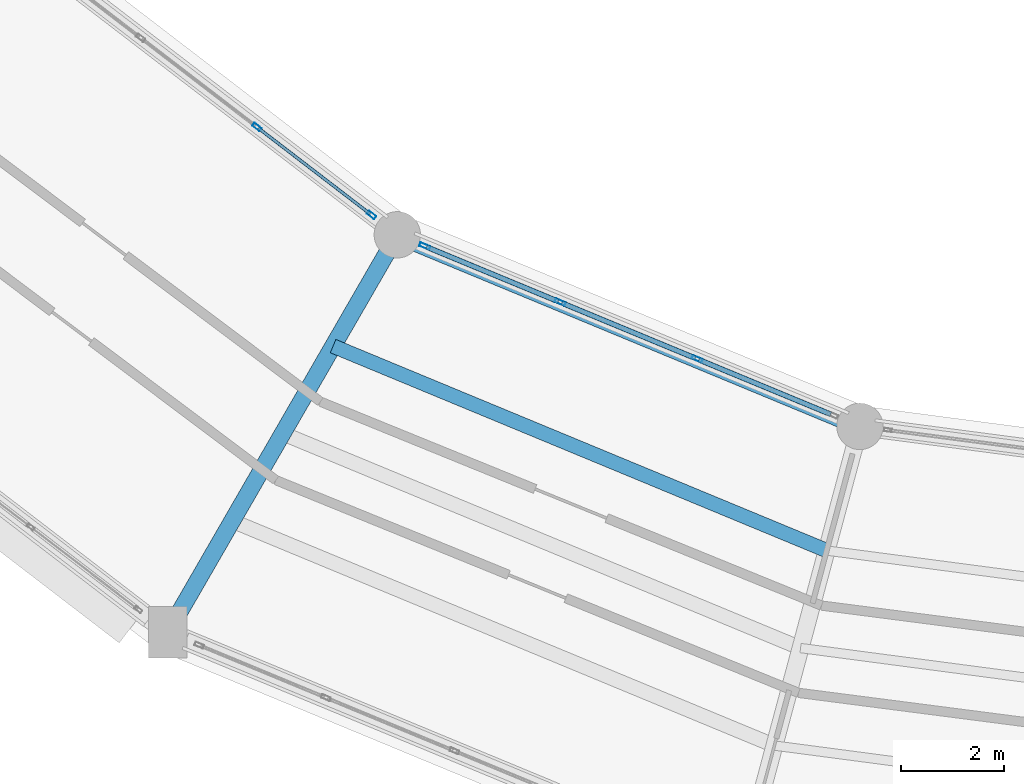
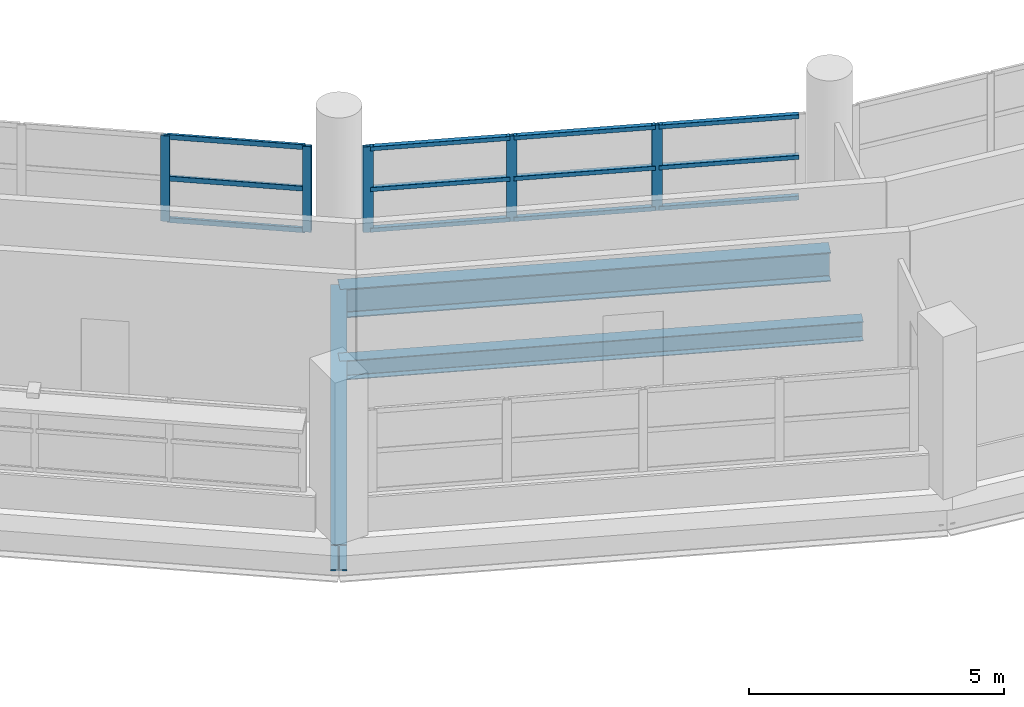
# One storey, part 19 of 108: 17 members, 3 beams, 2 elements without a shape of their own.
"""IFC4 building model written with IfcOpenShell, lengths in metres."""

import ifcopenshell
import ifcopenshell.guid

model = None  # the IFC model being written
_history = None  # IfcOwnerHistory: only IFC2X3 demands one
_inside = {}  # id of a spatial element -> (the spatial element, [elements in it])
_under = {}  # id of a project, library or spatial element -> (it, [spatial elements below it])
_declared = {}  # id of a project -> (the project, [libraries it declares])
_typed = {}  # id of a type object -> (the type object, [elements of that type])
_made_of = {}  # id of a material, layer set ... -> (it, [elements and type objects made of it])


def new_model(schema):
    """Start an empty IFC model of exactly this schema.

    Asked for "IFC4X3", IfcOpenShell would pick the latest addendum, in which some entities
    have other attributes; the version numbers below select the first issue.
    IFC2X3 requires an IfcOwnerHistory on every rooted entity: one is made here for all.
    """
    global model, _history
    if schema == "IFC4X3":
        model = ifcopenshell.file(schema_version=(4, 3, 0, 0))
    else:
        model = ifcopenshell.file(schema=schema)
    _inside.clear()
    _under.clear()
    _declared.clear()
    _typed.clear()
    _made_of.clear()
    _history = None
    if model.schema == "IFC2X3":
        org = make("IfcOrganization", Name="unknown")
        user = make(
            "IfcPersonAndOrganization",
            ThePerson=make("IfcPerson", FamilyName="unknown"),
            TheOrganization=org,
        )
        app = make(
            "IfcApplication",
            ApplicationDeveloper=org,
            Version="unknown",
            ApplicationFullName="unknown",
            ApplicationIdentifier="unknown",
        )
        _history = make(
            "IfcOwnerHistory",
            OwningUser=user,
            OwningApplication=app,
            ChangeAction="ADDED",
            CreationDate=0,
        )
    return model


def make(cls, **values):
    """One entity of the class cls with the attributes given. An attribute that is None is left unset."""
    return model.create_entity(
        cls, **{name: value for name, value in values.items() if value is not None}
    )


def rooted(cls, **values):
    """An entity with a GlobalId (a new one), such as an element, a storey or a relation."""
    return make(cls, GlobalId=ifcopenshell.guid.new(), OwnerHistory=_history, **values)


def si_unit(unit_type, name, prefix=None):
    """IfcSIUnit, for example si_unit("LENGTHUNIT", "METRE", prefix="MILLI")."""
    return make("IfcSIUnit", UnitType=unit_type, Prefix=prefix, Name=name)


def assignment(units):
    """IfcUnitAssignment: the units of a project."""
    return None if units is None else make("IfcUnitAssignment", Units=units)


def point(xyz):
    """IfcCartesianPoint."""
    return None if xyz is None else make("IfcCartesianPoint", Coordinates=xyz)


def direction(xyz):
    """IfcDirection."""
    return None if xyz is None else make("IfcDirection", DirectionRatios=xyz)


def frame(location, z_axis=None, x_axis=None):
    """IfcAxis2Placement3D, a coordinate frame: its origin and axes. An axis left out is left unset."""
    return make(
        "IfcAxis2Placement3D",
        Location=point(location),
        Axis=direction(z_axis),
        RefDirection=direction(x_axis),
    )


def frame_2d(location, x_axis=None):
    """IfcAxis2Placement2D, a coordinate frame in the plane: its origin and x axis."""
    return make(
        "IfcAxis2Placement2D", Location=point(location), RefDirection=direction(x_axis)
    )


def origin():
    """The frame at (0, 0, 0) with its axes left unset."""
    return frame((0.0, 0.0, 0.0))


def origin_2d():
    """The frame at (0, 0) in the plane with its x axis left unset."""
    return frame_2d((0.0, 0.0))


def place(relative_to, where):
    """IfcLocalPlacement: puts the frame where relative to a parent placement (None: the world)."""
    return make(
        "IfcLocalPlacement", PlacementRelTo=relative_to, RelativePlacement=where
    )


def context(
    kind, dimensions, precision=None, world=None, true_north=None, identifier=None
):
    """IfcGeometricRepresentationContext, for example the 3D "Model" context."""
    return make(
        "IfcGeometricRepresentationContext",
        ContextIdentifier=identifier,
        ContextType=kind,
        CoordinateSpaceDimension=dimensions,
        Precision=precision,
        WorldCoordinateSystem=world,
        TrueNorth=true_north,
    )


def subcontext(parent, identifier, kind, view, scale=None):
    """IfcGeometricRepresentationSubContext, for example "Body" below "Model"."""
    return make(
        "IfcGeometricRepresentationSubContext",
        ContextIdentifier=identifier,
        ContextType=kind,
        ParentContext=parent,
        TargetScale=scale,
        TargetView=view,
    )


def project(units=None, contexts=None):
    """IfcProject with its units and contexts."""
    return rooted(
        "IfcProject",
        Name="project",
        RepresentationContexts=contexts,
        UnitsInContext=assignment(units),
    )


def spatial(cls, under=None, at=None, **own):
    """A site, building, storey or space (cls), placed at a placement, below another one or the project."""
    s = rooted(cls, ObjectPlacement=at, **own)
    if under is not None:
        _under.setdefault(under.id(), (under, []))[1].append(s)
    return s


def profile(cls, at=None, kind="AREA", **sizes):
    """A parametric profile (cls). Its sizes go by their IFC names, for example OverallWidth=200.0."""
    return make(cls, ProfileType=kind, Position=at, **sizes)


def hollow_rectangle(**sizes):
    """IfcRectangleHollowProfileDef."""
    return profile("IfcRectangleHollowProfileDef", **sizes)


def i_section(**sizes):
    """IfcIShapeProfileDef."""
    return profile("IfcIShapeProfileDef", **sizes)


def extrude(swept, where, along, depth):
    """IfcExtrudedAreaSolid: the profile swept, set in the frame where, extruded along a direction by depth."""
    return make(
        "IfcExtrudedAreaSolid",
        SweptArea=swept,
        Position=where,
        ExtrudedDirection=direction(along),
        Depth=depth,
    )


def shape(context_of_items, identifier, shape_type, items):
    """IfcShapeRepresentation: the items that make up one representation, for example the "Body"."""
    return make(
        "IfcShapeRepresentation",
        ContextOfItems=context_of_items,
        RepresentationIdentifier=identifier,
        RepresentationType=shape_type,
        Items=items,
    )


def material(Name=None, Category=None):
    """IfcMaterial."""
    return make("IfcMaterial", Name=Name, Category=Category)


def layer(
    of_material, thickness, ventilated=None, Name=None, Category=None, Priority=None
):
    """IfcMaterialLayer: one layer of a wall or slab, of a material (None: an air gap)."""
    return make(
        "IfcMaterialLayer",
        Material=of_material,
        LayerThickness=thickness,
        IsVentilated=ventilated,
        Name=Name,
        Category=Category,
        Priority=Priority,
    )


def layer_set(layers, Name=None):
    """IfcMaterialLayerSet."""
    return make("IfcMaterialLayerSet", MaterialLayers=layers, LayerSetName=Name)


def material_profile(
    of_material, cross_section, Name=None, Category=None, Priority=None
):
    """IfcMaterialProfile: a cross section and its material."""
    return make(
        "IfcMaterialProfile",
        Name=Name,
        Material=of_material,
        Profile=cross_section,
        Priority=Priority,
        Category=Category,
    )


def profile_set(profiles, Name=None, composite=None):
    """IfcMaterialProfileSet."""
    return make(
        "IfcMaterialProfileSet",
        Name=Name,
        MaterialProfiles=profiles,
        CompositeProfile=composite,
    )


def made_of(thing, what):
    """Note that an element or type object is made of a material, layer set ...; save() writes the relation."""
    if what is not None:
        _made_of.setdefault(what.id(), (what, []))[1].append(thing)
    return thing


def type_object(cls, material=None, **own):
    """A type object (cls), such as IfcWallType, which elements share."""
    return made_of(rooted(cls, **own), material)


def element(
    cls,
    number,
    at=None,
    inside=None,
    cuts=None,
    type_object=None,
    material=None,
    context=None,
    identifier="Body",
    shape_type=None,
    held_by="IfcProductDefinitionShape",
    body=None,
    shapes=None,
    **own,
):
    """One element of the class cls, such as IfcWall. Its Tag is "e" and its number.

    at: its placement. inside: the storey or other place that contains it. cuts: it is an
    opening in that element (IfcRelVoidsElement). A single representation is given by context,
    identifier, shape_type and body (its items); several are given by shapes. held_by: the class
    of the entity that holds the representations. save() writes the other relations.
    """
    e = rooted(cls, Tag="e%d" % number, ObjectPlacement=at, **own)
    if body is not None:
        shapes = [shape(context, identifier, shape_type, body)]
    if shapes is not None:
        e.Representation = make(held_by, Representations=shapes)
    if inside is not None:
        _inside.setdefault(inside.id(), (inside, []))[1].append(e)
    if cuts is not None:
        rooted(
            "IfcRelVoidsElement", RelatingBuildingElement=cuts, RelatedOpeningElement=e
        )
    if type_object is not None:
        _typed.setdefault(type_object.id(), (type_object, []))[1].append(e)
    return made_of(e, material)


def aggregate(whole, parts):
    """IfcRelAggregates: a whole, such as a stair, and the parts it consists of."""
    return rooted("IfcRelAggregates", RelatingObject=whole, RelatedObjects=parts)


def save(model, path):
    """Write the relations noted so far, then the file.

    IfcRelAggregates (storeys below a building ...), IfcRelContainedInSpatialStructure (elements
    in a storey), IfcRelDefinesByType, IfcRelAssociatesMaterial and IfcRelDeclares: one each for
    every whole, place, type object, material and project.
    """
    for whole, parts in _under.values():
        aggregate(whole, parts)
    for where, things in _inside.values():
        rooted(
            "IfcRelContainedInSpatialStructure",
            RelatedElements=things,
            RelatingStructure=where,
        )
    for kind, things in _typed.values():
        rooted("IfcRelDefinesByType", RelatedObjects=things, RelatingType=kind)
    for what, things in _made_of.values():
        rooted("IfcRelAssociatesMaterial", RelatedObjects=things, RelatingMaterial=what)
    for by, libraries in _declared.values():
        rooted("IfcRelDeclares", RelatingContext=by, RelatedDefinitions=libraries)
    model.write(path)


model = new_model("IFC4")

# Units and contexts
model_context = context("Model", 3, precision=1e-05, world=origin(), true_north=direction((0.0, 1.0)))
body_context = subcontext(model_context, "Body", "Model", "MODEL_VIEW")
ifc_project = project(units=[si_unit("LENGTHUNIT", "METRE"), si_unit("AREAUNIT", "SQUARE_METRE"), si_unit("VOLUMEUNIT", "CUBIC_METRE"), si_unit("PLANEANGLEUNIT", "RADIAN"), si_unit("MASSUNIT", "GRAM", prefix="KILO")], contexts=[model_context])

# Site, building, storey
site_placement = place(None, origin())
site = spatial("IfcSite", under=ifc_project, at=site_placement, CompositionType="ELEMENT")
building_placement = place(site_placement, origin())
building = spatial("IfcBuilding", under=site, at=building_placement, Name="Vespera Passage Community Centre", CompositionType="ELEMENT")
storey_placement = place(building_placement, frame((0.0, 0.0, 12.60009765625)))
storey = spatial("IfcBuildingStorey", under=building, at=storey_placement, Name="L03", CompositionType="ELEMENT", Elevation=12.60009765625)

# Beams
ifc_material_1 = material(Name="Steel ASTM A992 Grade 50", Category="steel")
ifc_material_profile_1 = material_profile(ifc_material_1, i_section(OverallWidth=0.32763671875, OverallDepth=0.62841796875, WebThickness=0.0166015625, FlangeThickness=0.027587890625, FilletRadius=0.0126953125, at=origin_2d()), Name="W24X146")
ifc_profile_set_1 = profile_set([ifc_material_profile_1], Name="Steel ASTM A992 Grade 50")
beam_type_1 = type_object("IfcBeamType", Name="BM-G-W24X146", PredefinedType="BEAM", material=ifc_profile_set_1)
beam_1_placement = place(storey_placement, frame((59.39990234375, 33.283935546875, -0.71435546875), z_axis=(-0.499989191739, -0.866031643847, 0.0), x_axis=(0.866031643847, -0.499989191739, 0.0)))
element("IfcBeam", 1, at=beam_1_placement, inside=storey, type_object=beam_type_1, Name="V4 L03 Radial Girder 16", PredefinedType="BEAM", context=body_context, shape_type="SweptSolid", body=[
    extrude(i_section(OverallWidth=0.32763671875, OverallDepth=0.62841796875, WebThickness=0.0166015625, FlangeThickness=0.027587890625, FilletRadius=0.0126953125, at=origin_2d()), origin(), (0.0, 0.0, 1.0), 8.900146484375),
])
ifc_material_2 = material(Name="Steel ASTM A992 Grade 50", Category="steel")
ifc_material_profile_2 = material_profile(ifc_material_2, i_section(OverallWidth=0.280517578125, OverallDepth=0.46240234375, WebThickness=0.0107421875, FlangeThickness=0.017333984375, FilletRadius=0.01025390625, at=origin_2d()), Name="W18X76")
ifc_profile_set_2 = profile_set([ifc_material_profile_2], Name="Steel ASTM A992 Grade 50")
beam_type_2 = type_object("IfcBeamType", Name="BM-J-W18X76", PredefinedType="JOIST", material=ifc_profile_set_2)
beam_2_placement = place(storey_placement, frame((58.154052734375, 31.125732421875, -0.63134765625), z_axis=(0.923873815861, -0.382697233288, 0.0), x_axis=(0.382697233288, 0.923873815861, 0.0)))
element("IfcBeam", 2, at=beam_2_placement, inside=storey, type_object=beam_type_2, Name="V4 L03 Floor Joist 16.1", PredefinedType="JOIST", context=body_context, shape_type="SweptSolid", body=[
    extrude(i_section(OverallWidth=0.280517578125, OverallDepth=0.46240234375, WebThickness=0.0107421875, FlangeThickness=0.017333984375, FilletRadius=0.01025390625, at=origin_2d()), origin(), (0.0, 0.0, 1.0), 10.361572265625),
])
ifc_material_3 = material(Name="Steel ASTM A992 Grade 50", Category="steel")
ifc_material_profile_3 = material_profile(ifc_material_3, i_section(OverallWidth=0.3544921875, OverallDepth=0.695556640625, WebThickness=0.015380859375, FlangeThickness=0.024658203125, FilletRadius=0.01513671875, at=origin_2d()), Name="W27X146")
ifc_profile_set_3 = profile_set([ifc_material_profile_3], Name="Steel ASTM A992 Grade 50")
beam_type_3 = type_object("IfcBeamType", Name="BM-SP-W27X146E", PredefinedType="SPANDREL", material=ifc_profile_set_3)
beam_3_placement = place(storey_placement, frame((59.39990234375, 33.283935546875, -0.747802734375), z_axis=(0.923878947685, -0.382684844258, 0.0), x_axis=(0.382684844258, 0.923878947685, 0.0)))
element("IfcBeam", 3, at=beam_3_placement, inside=storey, type_object=beam_type_3, Name="V4 L03 Inner Spandrel 16", PredefinedType="SPANDREL", context=body_context, shape_type="SweptSolid", body=[
    extrude(i_section(OverallWidth=0.3544921875, OverallDepth=0.695556640625, WebThickness=0.015380859375, FlangeThickness=0.024658203125, FilletRadius=0.01513671875, at=origin_2d()), origin(), (0.0, 0.0, 1.0), 9.711181640625),
])

# Curtain wall, members
ifc_material_4 = material(Name="Anodized aluminium 6063-T6", Category="aluminium")
ifc_layer_1 = layer(ifc_material_4, 0.159912109375)
ifc_layer_set_1 = layer_set([ifc_layer_1], Name="Anodized aluminium 6063-T6")
curtain_wall_type_1 = type_object("IfcCurtainWallType", Name="CW-38E", PredefinedType="NOTDEFINED", material=ifc_layer_set_1)
curtain_wall_1_placement = place(storey_placement, origin())
curtain_wall_1 = element("IfcCurtainWall", 4, at=curtain_wall_1_placement, inside=storey, type_object=curtain_wall_type_1, Name="V4 L03 Inner Court Curtain Wall 15", PredefinedType="NOTDEFINED")
ifc_material_5 = material(Name="Anodized aluminium 6063-T6", Category="aluminium")
ifc_material_profile_4 = material_profile(ifc_material_5, hollow_rectangle(XDim=0.074951171875, YDim=0.179931640625, WallThickness=0.0048828125, InnerFilletRadius=0.00244140625, OuterFilletRadius=0.0048828125, at=origin_2d()), Name="ALU180X75X5")
ifc_profile_set_4 = profile_set([ifc_material_profile_4], Name="Anodized aluminium 6063-T6")
member_type_1 = type_object("IfcMemberType", Name="MB-CWM-180E", PredefinedType="MULLION", material=ifc_profile_set_4)
member_1_placement = place(storey_placement, frame((56.675048828125, 35.374755859375, 0.81982421875), z_axis=(0.0, 0.0, 1.0), x_axis=(0.608755087843, 0.793358205999, 0.0)))
member_1 = element("IfcMember", 5, at=member_1_placement, type_object=member_type_1, Name="CW-38E mullion 3", PredefinedType="MULLION", context=body_context, shape_type="SweptSolid", body=[
    extrude(hollow_rectangle(XDim=0.074951171875, YDim=0.179931640625, WallThickness=0.0048828125, InnerFilletRadius=0.00244140625, OuterFilletRadius=0.0048828125, at=origin_2d()), origin(), (0.0, 0.0, 1.0), 2.049560546875),
])
member_2_placement = place(storey_placement, frame((58.899658203125, 33.667724609375, 0.81982421875), z_axis=(0.0, 0.0, 1.0), x_axis=(0.608755087843, 0.793358205999, 0.0)))
member_2 = element("IfcMember", 6, at=member_2_placement, type_object=member_type_1, Name="CW-38E mullion 4", PredefinedType="MULLION", context=body_context, shape_type="SweptSolid", body=[
    extrude(hollow_rectangle(XDim=0.074951171875, YDim=0.179931640625, WallThickness=0.0048828125, InnerFilletRadius=0.00244140625, OuterFilletRadius=0.0048828125, at=origin_2d()), origin(), (0.0, 0.0, 1.0), 2.049560546875),
])

ifc_material_6 = material(Name="Anodized aluminium 6063-T6", Category="aluminium")
ifc_layer_2 = layer(ifc_material_6, 0.159912109375)
ifc_layer_set_2 = layer_set([ifc_layer_2], Name="Anodized aluminium 6063-T6")
curtain_wall_type_2 = type_object("IfcCurtainWallType", Name="CW-40E", PredefinedType="NOTDEFINED", material=ifc_layer_set_2)
curtain_wall_2_placement = place(storey_placement, origin())
curtain_wall_2 = element("IfcCurtainWall", 7, at=curtain_wall_2_placement, inside=storey, type_object=curtain_wall_type_2, Name="V4 L03 Inner Court Curtain Wall 16", PredefinedType="NOTDEFINED")
ifc_material_7 = material(Name="Anodized aluminium 6063-T6", Category="aluminium")
ifc_material_profile_5 = material_profile(ifc_material_7, hollow_rectangle(XDim=0.074951171875, YDim=0.2099609375, WallThickness=0.0048828125, InnerFilletRadius=0.00244140625, OuterFilletRadius=0.0048828125, at=origin_2d()), Name="ALU210X75X5")
ifc_profile_set_5 = profile_set([ifc_material_profile_5], Name="Anodized aluminium 6063-T6")
member_type_2 = type_object("IfcMemberType", Name="MB-CWM-210E", PredefinedType="MULLION", material=ifc_profile_set_5)
member_3_placement = place(storey_placement, frame((59.933349609375, 33.06298828125, 0.81982421875), z_axis=(0.0, 0.0, 1.0), x_axis=(0.382690463482, 0.923876620096, 0.0)))
member_3 = element("IfcMember", 8, at=member_3_placement, type_object=member_type_2, Name="CW-40E mullion 1", PredefinedType="MULLION", context=body_context, shape_type="SweptSolid", body=[
    extrude(hollow_rectangle(XDim=0.074951171875, YDim=0.2099609375, WallThickness=0.0048828125, InnerFilletRadius=0.00244140625, OuterFilletRadius=0.0048828125, at=origin_2d()), origin(), (0.0, 0.0, 1.0), 2.049560546875),
])
member_4_placement = place(storey_placement, frame((62.556884765625, 31.976318359375, 0.81982421875), z_axis=(0.0, 0.0, 1.0), x_axis=(0.382690463482, 0.923876620096, 0.0)))
member_4 = element("IfcMember", 9, at=member_4_placement, type_object=member_type_2, Name="CW-40E mullion 2", PredefinedType="MULLION", context=body_context, shape_type="SweptSolid", body=[
    extrude(hollow_rectangle(XDim=0.074951171875, YDim=0.2099609375, WallThickness=0.0048828125, InnerFilletRadius=0.00244140625, OuterFilletRadius=0.0048828125, at=origin_2d()), origin(), (0.0, 0.0, 1.0), 2.049560546875),
])
member_5_placement = place(storey_placement, frame((65.215087890625, 30.875244140625, 0.81982421875), z_axis=(0.0, 0.0, 1.0), x_axis=(0.382690463482, 0.923876620096, 0.0)))
member_5 = element("IfcMember", 10, at=member_5_placement, type_object=member_type_2, Name="CW-40E mullion 3", PredefinedType="MULLION", context=body_context, shape_type="SweptSolid", body=[
    extrude(hollow_rectangle(XDim=0.074951171875, YDim=0.2099609375, WallThickness=0.0048828125, InnerFilletRadius=0.00244140625, OuterFilletRadius=0.0048828125, at=origin_2d()), origin(), (0.0, 0.0, 1.0), 2.049560546875),
])
ifc_material_8 = material(Name="Anodized aluminium 6063-T6", Category="aluminium")
ifc_material_profile_6 = material_profile(ifc_material_8, hollow_rectangle(XDim=0.10009765625, YDim=0.10009765625, WallThickness=0.00390625, InnerFilletRadius=0.001953125, OuterFilletRadius=0.00390625, at=origin_2d()), Name="ALU100X100X4")
ifc_profile_set_6 = profile_set([ifc_material_profile_6], Name="Anodized aluminium 6063-T6")
member_type_3 = type_object("IfcMemberType", Name="MB-CWT-100E", PredefinedType="USERDEFINED", material=ifc_profile_set_6)
member_6_placement = place(storey_placement, frame((59.9677734375, 33.048583984375, 0.869873046875), z_axis=(0.923908142805, -0.382614353701, 0.0), x_axis=(0.382614353701, 0.923908142805, 0.0)))
member_6 = element("IfcMember", 11, at=member_6_placement, type_object=member_type_3, Name="CW-40E transom 1.1", ObjectType="TRANSOM", PredefinedType="USERDEFINED", context=body_context, shape_type="SweptSolid", body=[
    extrude(hollow_rectangle(XDim=0.10009765625, YDim=0.10009765625, WallThickness=0.00390625, InnerFilletRadius=0.001953125, OuterFilletRadius=0.00390625, at=origin_2d()), origin(), (0.0, 0.0, 1.0), 2.764892578125),
])
member_7_placement = place(storey_placement, frame((59.9677734375, 33.048583984375, 1.844482421875), z_axis=(0.923908142805, -0.382614353701, 0.0), x_axis=(0.382614353701, 0.923908142805, 0.0)))
member_7 = element("IfcMember", 12, at=member_7_placement, type_object=member_type_3, Name="CW-40E transom 1.2", ObjectType="TRANSOM", PredefinedType="USERDEFINED", context=body_context, shape_type="SweptSolid", body=[
    extrude(hollow_rectangle(XDim=0.10009765625, YDim=0.10009765625, WallThickness=0.00390625, InnerFilletRadius=0.001953125, OuterFilletRadius=0.00390625, at=origin_2d()), origin(), (0.0, 0.0, 1.0), 2.764892578125),
])
member_8_placement = place(storey_placement, frame((59.9677734375, 33.048583984375, 2.8193359375), z_axis=(0.923908142805, -0.382614353701, 0.0), x_axis=(0.382614353701, 0.923908142805, 0.0)))
member_8 = element("IfcMember", 13, at=member_8_placement, type_object=member_type_3, Name="CW-40E transom 1.3", ObjectType="TRANSOM", PredefinedType="USERDEFINED", context=body_context, shape_type="SweptSolid", body=[
    extrude(hollow_rectangle(XDim=0.10009765625, YDim=0.10009765625, WallThickness=0.00390625, InnerFilletRadius=0.001953125, OuterFilletRadius=0.00390625, at=origin_2d()), origin(), (0.0, 0.0, 1.0), 2.764892578125),
])
member_9_placement = place(storey_placement, frame((62.591552734375, 31.9619140625, 0.869873046875), z_axis=(0.923889408399, -0.382659588994, 0.0), x_axis=(0.382659588994, 0.923889408399, 0.0)))
member_9 = element("IfcMember", 14, at=member_9_placement, type_object=member_type_3, Name="CW-40E transom 2.1", ObjectType="TRANSOM", PredefinedType="USERDEFINED", context=body_context, shape_type="SweptSolid", body=[
    extrude(hollow_rectangle(XDim=0.10009765625, YDim=0.10009765625, WallThickness=0.00390625, InnerFilletRadius=0.001953125, OuterFilletRadius=0.00390625, at=origin_2d()), origin(), (0.0, 0.0, 1.0), 2.80224609375),
])
member_10_placement = place(storey_placement, frame((62.591552734375, 31.9619140625, 1.844482421875), z_axis=(0.923889408399, -0.382659588994, 0.0), x_axis=(0.382659588994, 0.923889408399, 0.0)))
member_10 = element("IfcMember", 15, at=member_10_placement, type_object=member_type_3, Name="CW-40E transom 2.2", ObjectType="TRANSOM", PredefinedType="USERDEFINED", context=body_context, shape_type="SweptSolid", body=[
    extrude(hollow_rectangle(XDim=0.10009765625, YDim=0.10009765625, WallThickness=0.00390625, InnerFilletRadius=0.001953125, OuterFilletRadius=0.00390625, at=origin_2d()), origin(), (0.0, 0.0, 1.0), 2.80224609375),
])
member_11_placement = place(storey_placement, frame((62.591552734375, 31.9619140625, 2.8193359375), z_axis=(0.923889408399, -0.382659588994, 0.0), x_axis=(0.382659588994, 0.923889408399, 0.0)))
member_11 = element("IfcMember", 16, at=member_11_placement, type_object=member_type_3, Name="CW-40E transom 2.3", ObjectType="TRANSOM", PredefinedType="USERDEFINED", context=body_context, shape_type="SweptSolid", body=[
    extrude(hollow_rectangle(XDim=0.10009765625, YDim=0.10009765625, WallThickness=0.00390625, InnerFilletRadius=0.001953125, OuterFilletRadius=0.00390625, at=origin_2d()), origin(), (0.0, 0.0, 1.0), 2.80224609375),
])
member_12_placement = place(storey_placement, frame((65.249755859375, 30.86083984375, 0.869873046875), z_axis=(0.923863992677, -0.382720946689, 0.0), x_axis=(0.382720946689, 0.923863992677, 0.0)))
member_12 = element("IfcMember", 17, at=member_12_placement, type_object=member_type_3, Name="CW-40E transom 3.1", ObjectType="TRANSOM", PredefinedType="USERDEFINED", context=body_context, shape_type="SweptSolid", body=[
    extrude(hollow_rectangle(XDim=0.10009765625, YDim=0.10009765625, WallThickness=0.00390625, InnerFilletRadius=0.001953125, OuterFilletRadius=0.00390625, at=origin_2d()), origin(), (0.0, 0.0, 1.0), 2.7646484375),
])
member_13_placement = place(storey_placement, frame((65.249755859375, 30.86083984375, 1.844482421875), z_axis=(0.923863992677, -0.382720946689, 0.0), x_axis=(0.382720946689, 0.923863992677, 0.0)))
member_13 = element("IfcMember", 18, at=member_13_placement, type_object=member_type_3, Name="CW-40E transom 3.2", ObjectType="TRANSOM", PredefinedType="USERDEFINED", context=body_context, shape_type="SweptSolid", body=[
    extrude(hollow_rectangle(XDim=0.10009765625, YDim=0.10009765625, WallThickness=0.00390625, InnerFilletRadius=0.001953125, OuterFilletRadius=0.00390625, at=origin_2d()), origin(), (0.0, 0.0, 1.0), 2.7646484375),
])
member_14_placement = place(storey_placement, frame((65.249755859375, 30.86083984375, 2.8193359375), z_axis=(0.923863992677, -0.382720946689, 0.0), x_axis=(0.382720946689, 0.923863992677, 0.0)))
member_14 = element("IfcMember", 19, at=member_14_placement, type_object=member_type_3, Name="CW-40E transom 3.3", ObjectType="TRANSOM", PredefinedType="USERDEFINED", context=body_context, shape_type="SweptSolid", body=[
    extrude(hollow_rectangle(XDim=0.10009765625, YDim=0.10009765625, WallThickness=0.00390625, InnerFilletRadius=0.001953125, OuterFilletRadius=0.00390625, at=origin_2d()), origin(), (0.0, 0.0, 1.0), 2.7646484375),
])
aggregate(curtain_wall_2, [member_3, member_4, member_5, member_6, member_7, member_8, member_9, member_10, member_11, member_12, member_13, member_14])

# Member
ifc_material_9 = material(Name="Anodized aluminium 6063-T6", Category="aluminium")
ifc_material_profile_7 = material_profile(ifc_material_9, hollow_rectangle(XDim=0.06005859375, YDim=0.1201171875, WallThickness=0.00390625, InnerFilletRadius=0.001953125, OuterFilletRadius=0.00390625, at=origin_2d()), Name="ALU120X60X4")
ifc_profile_set_7 = profile_set([ifc_material_profile_7], Name="Anodized aluminium 6063-T6")
member_type_4 = type_object("IfcMemberType", Name="MB-CWT-120E", PredefinedType="USERDEFINED", material=ifc_profile_set_7)
member_15_placement = place(storey_placement, frame((56.704833984375, 35.35205078125, 0.849853515625), z_axis=(0.793338465411, -0.608780813839, 0.0), x_axis=(0.608780813839, 0.793338465411, 0.0)))
member_15 = element("IfcMember", 20, at=member_15_placement, type_object=member_type_4, Name="CW-38E transom 3.1", ObjectType="TRANSOM", PredefinedType="USERDEFINED", context=body_context, shape_type="SweptSolid", body=[
    extrude(hollow_rectangle(XDim=0.06005859375, YDim=0.1201171875, WallThickness=0.00390625, InnerFilletRadius=0.001953125, OuterFilletRadius=0.00390625, at=origin_2d()), origin(), (0.0, 0.0, 1.0), 2.72900390625),
])

member_16_placement = place(storey_placement, frame((56.704833984375, 35.35205078125, 1.844482421875), z_axis=(0.793338465411, -0.608780813839, 0.0), x_axis=(0.608780813839, 0.793338465411, 0.0)))
member_16 = element("IfcMember", 21, at=member_16_placement, type_object=member_type_4, Name="CW-38E transom 3.2", ObjectType="TRANSOM", PredefinedType="USERDEFINED", context=body_context, shape_type="SweptSolid", body=[
    extrude(hollow_rectangle(XDim=0.06005859375, YDim=0.1201171875, WallThickness=0.00390625, InnerFilletRadius=0.001953125, OuterFilletRadius=0.00390625, at=origin_2d()), origin(), (0.0, 0.0, 1.0), 2.72900390625),
])

member_17_placement = place(storey_placement, frame((56.704833984375, 35.35205078125, 2.83935546875), z_axis=(0.793338465411, -0.608780813839, 0.0), x_axis=(0.608780813839, 0.793338465411, 0.0)))
member_17 = element("IfcMember", 22, at=member_17_placement, type_object=member_type_4, Name="CW-38E transom 3.3", ObjectType="TRANSOM", PredefinedType="USERDEFINED", context=body_context, shape_type="SweptSolid", body=[
    extrude(hollow_rectangle(XDim=0.06005859375, YDim=0.1201171875, WallThickness=0.00390625, InnerFilletRadius=0.001953125, OuterFilletRadius=0.00390625, at=origin_2d()), origin(), (0.0, 0.0, 1.0), 2.72900390625),
])

aggregate(curtain_wall_1, [member_1, member_2, member_15, member_16, member_17])

save(model, "model.ifc")
